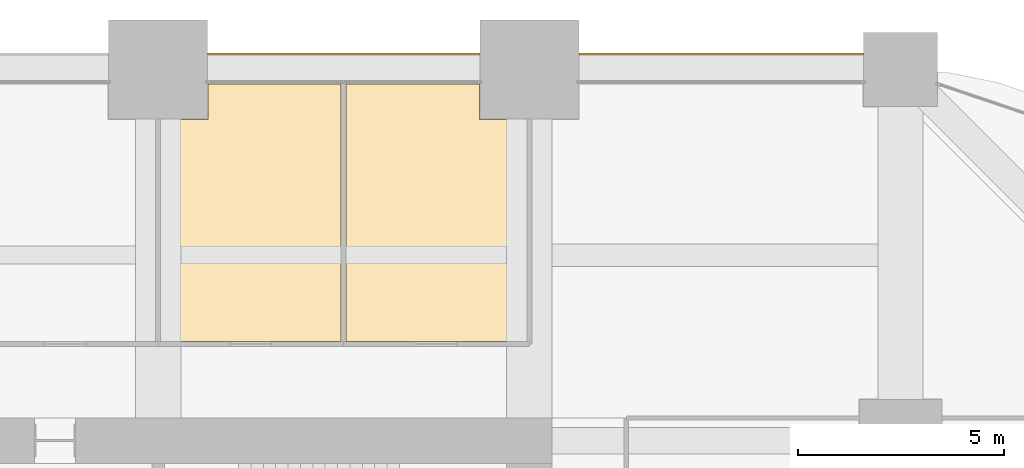
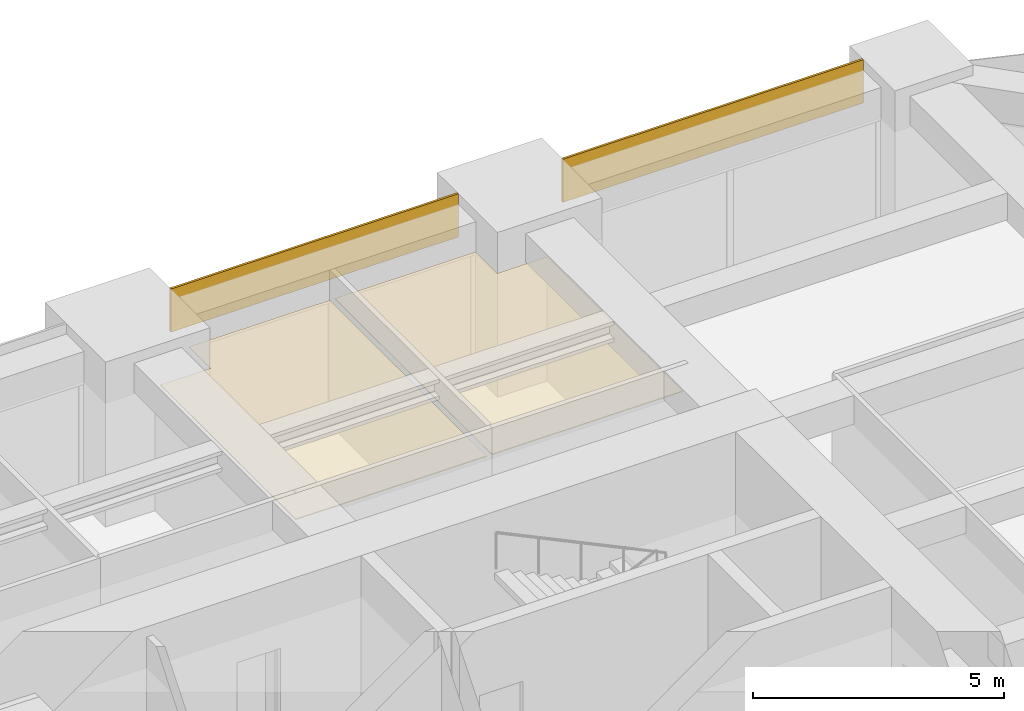
# One storey, part 41 of 41: 4 coverings.
"""IFC4 building model written with IfcOpenShell, lengths in metres."""

from ifc_helpers import new_model, si_unit, direction, frame, frame_2d, origin, place, context, subcontext, project, spatial, polyline, rectangle, outline, extrude, material, layer, layer_set, type_object, element, save


model = new_model("IFC4")

# Units and contexts
model_context = context("Model", 3, precision=1e-05, world=origin(), true_north=direction((0.0, 1.0)))
body_context = subcontext(model_context, "Body", "Model", "MODEL_VIEW")
ifc_project = project(units=[si_unit("LENGTHUNIT", "METRE"), si_unit("AREAUNIT", "SQUARE_METRE"), si_unit("VOLUMEUNIT", "CUBIC_METRE"), si_unit("PLANEANGLEUNIT", "RADIAN"), si_unit("MASSUNIT", "GRAM", prefix="KILO")], contexts=[model_context])

# Site, building, storey
site_placement = place(None, origin())
site = spatial("IfcSite", under=ifc_project, at=site_placement, CompositionType="ELEMENT")
building_placement = place(site_placement, origin())
building = spatial("IfcBuilding", under=site, at=building_placement, Name="Zorevar Civic Tower", CompositionType="ELEMENT")
storey_placement = place(building_placement, frame((0.0, 0.0, 109.0)))
storey = spatial("IfcBuildingStorey", under=building, at=storey_placement, Name="L26", CompositionType="ELEMENT", Elevation=109.0)

# Coverings
ifc_material_1 = material(Name="Black anodised aluminium spandrel panel", Category="aluminium")
ifc_layer_1 = layer(ifc_material_1, 0.050048828125)
ifc_layer_set_1 = layer_set([ifc_layer_1], Name="Spandrel cladding SP1")
covering_type_1 = type_object("IfcCoveringType", Name="Spandrel cladding SP1", PredefinedType="CLADDING", material=ifc_layer_set_1)
covering_1_placement = place(storey_placement, frame((37.199951171875, 45.375, 2.949951171875), z_axis=(0.0, 0.0, 1.0), x_axis=(1.0, 0.0, 0.0)))
element("IfcCovering", 1, at=covering_1_placement, inside=storey, type_object=covering_type_1, Name="Spandrel cladding L27", PredefinedType="CLADDING", context=body_context, shape_type="SweptSolid", body=[
    extrude(rectangle(XDim=6.60009765625, YDim=0.050048828125, at=frame_2d((3.300048828125, 0.0))), origin(), (0.0, 0.0, 1.0), 1.050048828125),
])
covering_2_placement = place(storey_placement, frame((46.199951171875, 45.375, 2.949951171875), z_axis=(0.0, 0.0, 1.0), x_axis=(1.0, 0.0, 0.0)))
element("IfcCovering", 2, at=covering_2_placement, inside=storey, type_object=covering_type_1, Name="Spandrel cladding L27", PredefinedType="CLADDING", context=body_context, shape_type="SweptSolid", body=[
    extrude(rectangle(XDim=6.900146484375, YDim=0.050048828125, at=frame_2d((3.4501953125, 0.0))), origin(), (0.0, 0.0, 1.0), 1.050048828125),
])
ifc_material_2 = material(Name="Mineral fibre tiles on a concealed grid")
ifc_layer_2 = layer(ifc_material_2, 0.02001953125)
ifc_layer_set_2 = layer_set([ifc_layer_2], Name="Suspended ceiling SC1")
covering_type_2 = type_object("IfcCoveringType", Name="Suspended ceiling SC1", PredefinedType="CEILING", material=ifc_layer_set_2)
covering_3_placement = place(storey_placement, frame((0.0, 0.0, 3.0)))
element("IfcCovering", 3, at=covering_3_placement, inside=storey, type_object=covering_type_2, Name="Ceiling L26-32", PredefinedType="CEILING", context=body_context, shape_type="SweptSolid", body=[
    extrude(outline(polyline([(36.06005859375, 38.409912109375), (36.06005859375, 43.7900390625), (37.2099609375, 43.7900390625), (37.2099609375, 44.64990234375), (40.43994140625, 44.64990234375), (40.43994140625, 38.409912109375), (36.06005859375, 38.409912109375)])), origin(), (0.0, 0.0, 1.0), 0.02001953125),
])
covering_4_placement = place(storey_placement, frame((0.0, 0.0, 3.0)))
element("IfcCovering", 4, at=covering_4_placement, inside=storey, type_object=covering_type_2, Name="Ceiling L26-33", PredefinedType="CEILING", context=body_context, shape_type="SweptSolid", body=[
    extrude(outline(polyline([(40.56005859375, 38.409912109375), (40.56005859375, 44.64990234375), (43.7900390625, 44.64990234375), (43.7900390625, 43.7900390625), (44.93994140625, 43.7900390625), (44.93994140625, 38.409912109375), (40.56005859375, 38.409912109375)])), origin(), (0.0, 0.0, 1.0), 0.02001953125),
])

save(model, "model.ifc")
